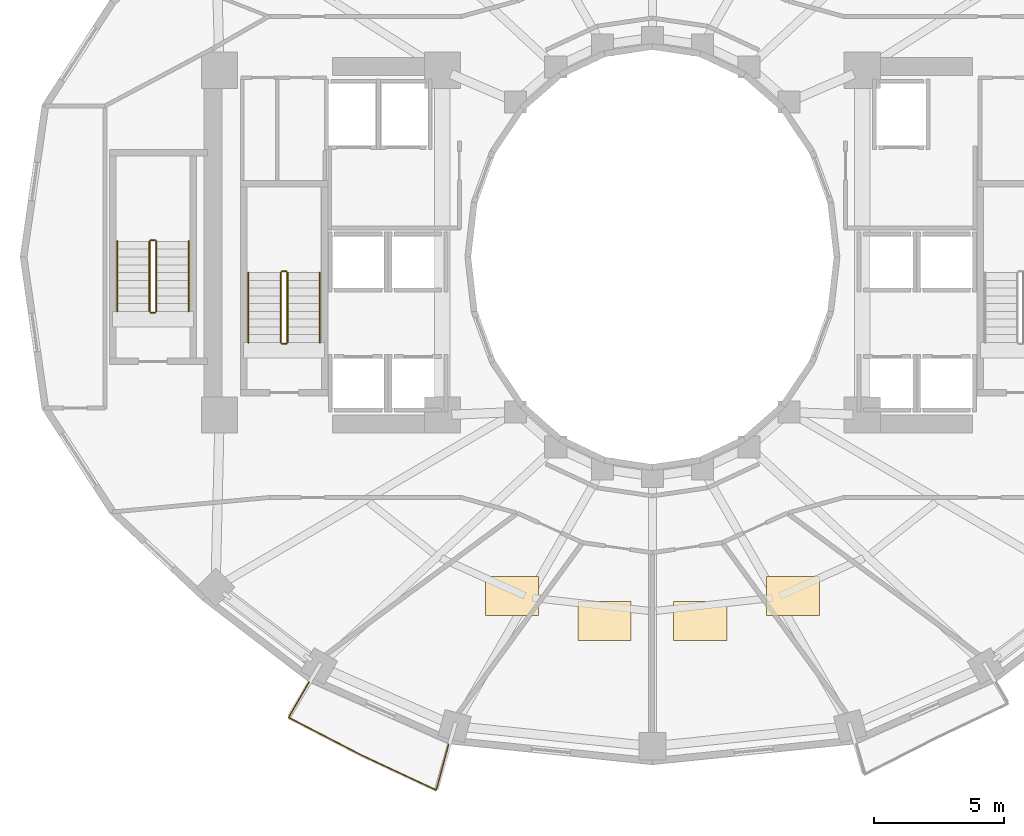
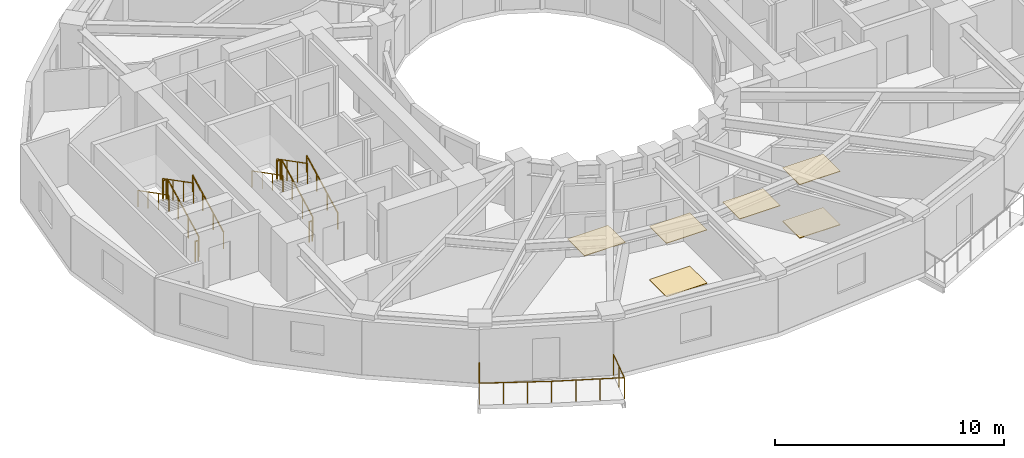
# One storey, part 8 of 10: 13 railings, 6 coverings.
"""IFC4 building model written with IfcOpenShell, lengths in metres."""

from ifc_helpers import new_model, si_unit, direction, frame, origin, origin_2d, place, context, subcontext, project, spatial, polyline, circle, outline, extrude, material, layer, layer_set, type_object, element, save


model = new_model("IFC4")

# Units and contexts
model_context = context("Model", 3, precision=1e-05, world=origin(), true_north=direction((0.0, 1.0)))
body_context = subcontext(model_context, "Body", "Model", "MODEL_VIEW")
ifc_project = project(units=[si_unit("LENGTHUNIT", "METRE"), si_unit("AREAUNIT", "SQUARE_METRE"), si_unit("VOLUMEUNIT", "CUBIC_METRE"), si_unit("PLANEANGLEUNIT", "RADIAN"), si_unit("MASSUNIT", "GRAM", prefix="KILO")], contexts=[model_context])

# Site, building, storey
site_placement = place(None, origin())
site = spatial("IfcSite", under=ifc_project, at=site_placement, CompositionType="ELEMENT")
building_placement = place(site_placement, origin())
building = spatial("IfcBuilding", under=site, at=building_placement, Name="Solvane Sanctuary Tower", CompositionType="ELEMENT")
storey_placement = place(building_placement, frame((0.0, 0.0, 107.300048828125)))
storey = spatial("IfcBuildingStorey", under=building, at=storey_placement, Name="L32", CompositionType="ELEMENT", Elevation=107.300048828125)

# Coverings
ifc_material_1 = material(Name="Acoustic Gypsum Partition Board")
ifc_layer_1 = layer(ifc_material_1, 0.02490234375, Name="Acoustic Gypsum Partition Board")
ifc_layer_set_1 = layer_set([ifc_layer_1], Name="Acoustic Gypsum Partition Board")
covering_type_1 = type_object("IfcCoveringType", Name="Covering CLG-ACOUST", PredefinedType="CEILING", material=ifc_layer_set_1)
covering_1_placement = place(storey_placement, frame((0.0, 0.0, 2.849853515625)))
element("IfcCovering", 1, at=covering_1_placement, inside=storey, type_object=covering_type_1, Name="L32 Unit Acoustic Ceiling Panel 5", PredefinedType="CEILING", context=body_context, shape_type="SweptSolid", body=[
    extrude(outline(polyline([(25.555908203125, 9.16796875), (27.60595703125, 9.16796875), (27.60595703125, 10.66796875), (25.555908203125, 10.66796875), (25.555908203125, 9.16796875)])), origin(), (0.0, 0.0, 1.0), 0.030029296875),
])
covering_2_placement = place(storey_placement, frame((0.0, 0.0, 2.849853515625)))
element("IfcCovering", 2, at=covering_2_placement, inside=storey, type_object=covering_type_1, Name="L32 Unit Acoustic Ceiling Panel 6", PredefinedType="CEILING", context=body_context, shape_type="SweptSolid", body=[
    extrude(outline(polyline([(29.126953125, 8.2109375), (31.177001953125, 8.2109375), (31.177001953125, 9.7109375), (29.126953125, 9.7109375), (29.126953125, 8.2109375)])), origin(), (0.0, 0.0, 1.0), 0.030029296875),
])
covering_3_placement = place(storey_placement, frame((0.0, 0.0, 2.849853515625)))
element("IfcCovering", 3, at=covering_3_placement, inside=storey, type_object=covering_type_1, Name="L32 Unit Acoustic Ceiling Panel 7", PredefinedType="CEILING", context=body_context, shape_type="SweptSolid", body=[
    extrude(outline(polyline([(32.822998046875, 8.2109375), (34.873046875, 8.2109375), (34.873046875, 9.7109375), (32.822998046875, 9.7109375), (32.822998046875, 8.2109375)])), origin(), (0.0, 0.0, 1.0), 0.030029296875),
])
covering_4_placement = place(storey_placement, frame((0.0, 0.0, 2.849853515625)))
element("IfcCovering", 4, at=covering_4_placement, inside=storey, type_object=covering_type_1, Name="L32 Unit Acoustic Ceiling Panel 8", PredefinedType="CEILING", context=body_context, shape_type="SweptSolid", body=[
    extrude(outline(polyline([(36.39404296875, 9.16796875), (38.444091796875, 9.16796875), (38.444091796875, 10.66796875), (36.39404296875, 10.66796875), (36.39404296875, 9.16796875)])), origin(), (0.0, 0.0, 1.0), 0.030029296875),
])
ifc_material_2 = material(Name="Ceramic Tile Finish")
ifc_layer_2 = layer(ifc_material_2, 0.030029296875, Name="Ceramic Tile Finish")
ifc_layer_set_2 = layer_set([ifc_layer_2], Name="Ceramic Tile Finish")
covering_type_2 = type_object("IfcCoveringType", Name="Covering FLR-TERRAZZO", PredefinedType="FLOORING", material=ifc_layer_set_2)
covering_5_placement = place(storey_placement, origin())
element("IfcCovering", 5, at=covering_5_placement, inside=storey, type_object=covering_type_2, Name="L32 Unit Terrazzo Inlay 6", PredefinedType="FLOORING", context=body_context, shape_type="SweptSolid", body=[
    extrude(outline(polyline([(29.126953125, 8.2109375), (31.177001953125, 8.2109375), (31.177001953125, 9.7109375), (29.126953125, 9.7109375), (29.126953125, 8.2109375)])), origin(), (0.0, 0.0, 1.0), 0.034912109375),
])
covering_6_placement = place(storey_placement, origin())
element("IfcCovering", 6, at=covering_6_placement, inside=storey, type_object=covering_type_2, Name="L32 Unit Terrazzo Inlay 8", PredefinedType="FLOORING", context=body_context, shape_type="SweptSolid", body=[
    extrude(outline(polyline([(36.39404296875, 9.16796875), (38.444091796875, 9.16796875), (38.444091796875, 10.66796875), (36.39404296875, 10.66796875), (36.39404296875, 9.16796875)])), origin(), (0.0, 0.0, 1.0), 0.034912109375),
])

# Railings
ifc_material_3 = material(Name="Architectural Stainless Steel 316", Category="steel")
railing_type_1 = type_object("IfcRailingType", Name="Railing GR-BALC-1150", PredefinedType="BALUSTRADE", material=ifc_material_3)
railing_1_placement = place(storey_placement, frame((18.750732421875, 6.595703125, 0.0)))
element("IfcRailing", 7, at=railing_1_placement, inside=storey, type_object=railing_type_1, Name="L32 Wave Balcony Balustrade S1", PredefinedType="BALUSTRADE", context=body_context, shape_type="SweptSolid", body=[
    extrude(circle(Radius=0.02392578125, at=origin_2d()), frame((0.0, 0.0, 1.1259765625), z_axis=(-0.50011208427, -0.865960682229, 0.0), x_axis=(0.865960682229, -0.50011208427, 0.0)), (0.0, 0.0, 1.0), 1.572998046875),
    extrude(circle(Radius=0.02392578125, at=origin_2d()), frame((-0.78662109375, -1.362060546875, 1.1259765625), z_axis=(0.888119879969, -0.459611878441, 0.0), x_axis=(0.459611878441, 0.888119879969, 0.0)), (0.0, 0.0, 1.0), 3.163330078125),
    extrude(circle(Radius=0.02392578125, at=origin_2d()), frame((2.022705078125, -2.81591796875, 1.1259765625), z_axis=(0.906020758205, -0.423233252122, 0.0), x_axis=(0.423233252122, 0.906020758205, 0.0)), (0.0, 0.0, 1.0), 3.189453125),
    extrude(circle(Radius=0.02392578125, at=origin_2d()), frame((4.912353515625, -4.165771484375, 1.1259765625), z_axis=(0.258820206775, 0.965925515019, 0.0), x_axis=(-0.965925515019, 0.258820206775, 0.0)), (0.0, 0.0, 1.0), 1.83740234375),
    extrude(circle(Radius=0.02099609375, at=origin_2d()), origin(), (0.0, 0.0, 1.0), 1.101806640625),
    extrude(circle(Radius=0.02099609375, at=origin_2d()), frame((-0.393310546875, -0.68115234375, 0.0)), (0.0, 0.0, 1.0), 1.101806640625),
    extrude(circle(Radius=0.02099609375, at=origin_2d()), frame((-0.78662109375, -1.362060546875, 0.0)), (0.0, 0.0, 1.0), 1.101806640625),
    extrude(circle(Radius=0.02099609375, at=origin_2d()), frame((0.14990234375, -1.8466796875, 0.0)), (0.0, 0.0, 1.0), 1.101806640625),
    extrude(circle(Radius=0.02099609375, at=origin_2d()), frame((1.086181640625, -2.331298828125, 0.0)), (0.0, 0.0, 1.0), 1.101806640625),
    extrude(circle(Radius=0.02099609375, at=origin_2d()), frame((2.022705078125, -2.81591796875, 0.0)), (0.0, 0.0, 1.0), 1.101806640625),
    extrude(circle(Radius=0.02099609375, at=origin_2d()), frame((2.98583984375, -3.265869140625, 0.0)), (0.0, 0.0, 1.0), 1.101806640625),
    extrude(circle(Radius=0.02099609375, at=origin_2d()), frame((3.94921875, -3.7158203125, 0.0)), (0.0, 0.0, 1.0), 1.101806640625),
    extrude(circle(Radius=0.02099609375, at=origin_2d()), frame((4.912353515625, -4.165771484375, 0.0)), (0.0, 0.0, 1.0), 1.101806640625),
    extrude(circle(Radius=0.02099609375, at=origin_2d()), frame((5.150146484375, -3.2783203125, 0.0)), (0.0, 0.0, 1.0), 1.101806640625),
    extrude(circle(Radius=0.02099609375, at=origin_2d()), frame((5.387939453125, -2.390869140625, 0.0)), (0.0, 0.0, 1.0), 1.101806640625),
])
railing_2_placement = place(storey_placement, frame((17.919921875, 19.699951171875, 0.155029296875)))
element("IfcRailing", 8, at=railing_2_placement, inside=storey, type_object=railing_type_1, Name="L32 ST-1 stair guard 1", PredefinedType="BALUSTRADE", context=body_context, shape_type="SweptSolid", body=[
    extrude(circle(Radius=0.02392578125, at=origin_2d()), frame((0.0, 0.0, 1.076171875), z_axis=(0.0, 0.888419900624, 0.459031676658), x_axis=(-1.0, 0.0, 0.0)), (0.0, 0.0, 1.0), 3.0390625),
    extrude(circle(Radius=0.02099609375, at=origin_2d()), origin(), (0.0, 0.0, 1.0), 1.052001953125),
    extrude(circle(Radius=0.02099609375, at=origin_2d()), frame((0.0, 0.89990234375, 0.465087890625)), (0.0, 0.0, 1.0), 1.052001953125),
    extrude(circle(Radius=0.02099609375, at=origin_2d()), frame((0.0, 1.800048828125, 0.929931640625)), (0.0, 0.0, 1.0), 1.052001953125),
    extrude(circle(Radius=0.02099609375, at=origin_2d()), frame((0.0, 2.699951171875, 1.39501953125)), (0.0, 0.0, 1.0), 1.052001953125),
])
railing_3_placement = place(storey_placement, frame((17.8701171875, 22.449951171875, 1.550048828125)))
element("IfcRailing", 9, at=railing_3_placement, inside=storey, type_object=railing_type_1, Name="L32 ST-1 stair guard 2", PredefinedType="BALUSTRADE", context=body_context, shape_type="SweptSolid", body=[
    extrude(circle(Radius=0.02392578125, at=origin_2d()), frame((0.0, 0.0, 1.076171875), z_axis=(-1.0, 0.0, 0.0), x_axis=(0.0, -1.0, 0.0)), (0.0, 0.0, 1.0), 0.16015625),
    extrude(circle(Radius=0.02099609375, at=origin_2d()), origin(), (0.0, 0.0, 1.0), 1.052001953125),
    extrude(circle(Radius=0.02099609375, at=origin_2d()), frame((-0.16015625, 0.0, 0.0)), (0.0, 0.0, 1.0), 1.052001953125),
])
railing_4_placement = place(storey_placement, frame((17.659912109375, 22.39990234375, 1.704833984375)))
element("IfcRailing", 10, at=railing_4_placement, inside=storey, type_object=railing_type_1, Name="L32 ST-1 stair guard 3", PredefinedType="BALUSTRADE", context=body_context, shape_type="SweptSolid", body=[
    extrude(circle(Radius=0.02392578125, at=origin_2d()), frame((0.0, 0.0, 1.076171875), z_axis=(0.0, -0.888419900624, 0.459031676658), x_axis=(1.0, 0.0, 0.0)), (0.0, 0.0, 1.0), 3.0390625),
    extrude(circle(Radius=0.02099609375, at=origin_2d()), origin(), (0.0, 0.0, 1.0), 1.052001953125),
    extrude(circle(Radius=0.02099609375, at=origin_2d()), frame((0.0, -0.89990234375, 0.465087890625)), (0.0, 0.0, 1.0), 1.052001953125),
    extrude(circle(Radius=0.02099609375, at=origin_2d()), frame((0.0, -1.800048828125, 0.929931640625)), (0.0, 0.0, 1.0), 1.052001953125),
    extrude(circle(Radius=0.02099609375, at=origin_2d()), frame((0.0, -2.699951171875, 1.39501953125)), (0.0, 0.0, 1.0), 1.052001953125),
])
railing_5_placement = place(storey_placement, frame((17.8701171875, 19.64990234375, 0.0)))
element("IfcRailing", 11, at=railing_5_placement, inside=storey, type_object=railing_type_1, Name="L32 ST-1 stair guard 4", PredefinedType="BALUSTRADE", context=body_context, shape_type="SweptSolid", body=[
    extrude(circle(Radius=0.02392578125, at=origin_2d()), frame((0.0, 0.0, 1.076171875), z_axis=(-1.0, 0.0, 0.0), x_axis=(0.0, -1.0, 0.0)), (0.0, 0.0, 1.0), 0.16015625),
    extrude(circle(Radius=0.02099609375, at=origin_2d()), origin(), (0.0, 0.0, 1.0), 1.052001953125),
    extrude(circle(Radius=0.02099609375, at=origin_2d()), frame((-0.16015625, 0.0, 0.0)), (0.0, 0.0, 1.0), 1.052001953125),
])
railing_6_placement = place(storey_placement, frame((12.860107421875, 20.89990234375, 0.155029296875)))
element("IfcRailing", 12, at=railing_6_placement, inside=storey, type_object=railing_type_1, Name="L32 ST-3 stair guard 1", PredefinedType="BALUSTRADE", context=body_context, shape_type="SweptSolid", body=[
    extrude(circle(Radius=0.02392578125, at=origin_2d()), frame((0.0, 0.0, 1.076171875), z_axis=(0.0, 0.888436826113, 0.458998917216), x_axis=(-1.0, 0.0, 0.0)), (0.0, 0.0, 1.0), 3.039306640625),
    extrude(circle(Radius=0.02099609375, at=origin_2d()), origin(), (0.0, 0.0, 1.0), 1.052001953125),
    extrude(circle(Radius=0.02099609375, at=origin_2d()), frame((0.0, 0.900146484375, 0.465087890625)), (0.0, 0.0, 1.0), 1.052001953125),
    extrude(circle(Radius=0.02099609375, at=origin_2d()), frame((0.0, 1.800048828125, 0.929931640625)), (0.0, 0.0, 1.0), 1.052001953125),
    extrude(circle(Radius=0.02099609375, at=origin_2d()), frame((0.0, 2.7001953125, 1.39501953125)), (0.0, 0.0, 1.0), 1.052001953125),
])
railing_7_placement = place(storey_placement, frame((12.81005859375, 23.64990234375, 1.550048828125)))
element("IfcRailing", 13, at=railing_7_placement, inside=storey, type_object=railing_type_1, Name="L32 ST-3 stair guard 2", PredefinedType="BALUSTRADE", context=body_context, shape_type="SweptSolid", body=[
    extrude(circle(Radius=0.02392578125, at=origin_2d()), frame((0.0, 0.0, 1.076171875), z_axis=(-1.0, 0.0, 0.0), x_axis=(0.0, -1.0, 0.0)), (0.0, 0.0, 1.0), 0.16015625),
    extrude(circle(Radius=0.02099609375, at=origin_2d()), origin(), (0.0, 0.0, 1.0), 1.052001953125),
    extrude(circle(Radius=0.02099609375, at=origin_2d()), frame((-0.16015625, 0.0, 0.0)), (0.0, 0.0, 1.0), 1.052001953125),
])
railing_8_placement = place(storey_placement, frame((12.60009765625, 23.60009765625, 1.704833984375)))
element("IfcRailing", 14, at=railing_8_placement, inside=storey, type_object=railing_type_1, Name="L32 ST-3 stair guard 3", PredefinedType="BALUSTRADE", context=body_context, shape_type="SweptSolid", body=[
    extrude(circle(Radius=0.02392578125, at=origin_2d()), frame((0.0, 0.0, 1.076171875), z_axis=(0.0, -0.888436826113, 0.458998917216), x_axis=(1.0, 0.0, 0.0)), (0.0, 0.0, 1.0), 3.039306640625),
    extrude(circle(Radius=0.02099609375, at=origin_2d()), origin(), (0.0, 0.0, 1.0), 1.052001953125),
    extrude(circle(Radius=0.02099609375, at=origin_2d()), frame((0.0, -0.900146484375, 0.465087890625)), (0.0, 0.0, 1.0), 1.052001953125),
    extrude(circle(Radius=0.02099609375, at=origin_2d()), frame((0.0, -1.800048828125, 0.929931640625)), (0.0, 0.0, 1.0), 1.052001953125),
    extrude(circle(Radius=0.02099609375, at=origin_2d()), frame((0.0, -2.7001953125, 1.39501953125)), (0.0, 0.0, 1.0), 1.052001953125),
])
railing_9_placement = place(storey_placement, frame((12.81005859375, 20.85009765625, 0.0)))
element("IfcRailing", 15, at=railing_9_placement, inside=storey, type_object=railing_type_1, Name="L32 ST-3 stair guard 4", PredefinedType="BALUSTRADE", context=body_context, shape_type="SweptSolid", body=[
    extrude(circle(Radius=0.02392578125, at=origin_2d()), frame((0.0, 0.0, 1.076171875), z_axis=(-1.0, 0.0, 0.0), x_axis=(0.0, -1.0, 0.0)), (0.0, 0.0, 1.0), 0.16015625),
    extrude(circle(Radius=0.02099609375, at=origin_2d()), origin(), (0.0, 0.0, 1.0), 1.052001953125),
    extrude(circle(Radius=0.02099609375, at=origin_2d()), frame((-0.16015625, 0.0, 0.0)), (0.0, 0.0, 1.0), 1.052001953125),
])
railing_type_2 = type_object("IfcRailingType", Name="Railing HR-STAIR-920", PredefinedType="HANDRAIL", material=ifc_material_3)
railing_10_placement = place(storey_placement, frame((19.169921875, 19.699951171875, 0.155029296875)))
element("IfcRailing", 16, at=railing_10_placement, inside=storey, type_object=railing_type_2, Name="L32 ST-1 stair handrail 1", PredefinedType="HANDRAIL", context=body_context, shape_type="SweptSolid", body=[
    extrude(circle(Radius=0.02392578125, at=origin_2d()), frame((0.0, 0.0, 0.8759765625), z_axis=(0.0, 0.888419900624, 0.459031676658), x_axis=(-1.0, 0.0, 0.0)), (0.0, 0.0, 1.0), 3.0390625),
    extrude(circle(Radius=0.02099609375, at=origin_2d()), origin(), (0.0, 0.0, 1.0), 0.851806640625),
    extrude(circle(Radius=0.02099609375, at=origin_2d()), frame((0.0, 0.89990234375, 0.465087890625)), (0.0, 0.0, 1.0), 0.851806640625),
    extrude(circle(Radius=0.02099609375, at=origin_2d()), frame((0.0, 1.800048828125, 0.929931640625)), (0.0, 0.0, 1.0), 0.851806640625),
    extrude(circle(Radius=0.02099609375, at=origin_2d()), frame((0.0, 2.699951171875, 1.39501953125)), (0.0, 0.0, 1.0), 0.851806640625),
])
railing_11_placement = place(storey_placement, frame((16.409912109375, 22.39990234375, 1.704833984375)))
element("IfcRailing", 17, at=railing_11_placement, inside=storey, type_object=railing_type_2, Name="L32 ST-1 stair handrail 2", PredefinedType="HANDRAIL", context=body_context, shape_type="SweptSolid", body=[
    extrude(circle(Radius=0.02392578125, at=origin_2d()), frame((0.0, 0.0, 0.8759765625), z_axis=(0.0, -0.888419900624, 0.459031676658), x_axis=(1.0, 0.0, 0.0)), (0.0, 0.0, 1.0), 3.0390625),
    extrude(circle(Radius=0.02099609375, at=origin_2d()), origin(), (0.0, 0.0, 1.0), 0.851806640625),
    extrude(circle(Radius=0.02099609375, at=origin_2d()), frame((0.0, -0.89990234375, 0.465087890625)), (0.0, 0.0, 1.0), 0.851806640625),
    extrude(circle(Radius=0.02099609375, at=origin_2d()), frame((0.0, -1.800048828125, 0.929931640625)), (0.0, 0.0, 1.0), 0.851806640625),
    extrude(circle(Radius=0.02099609375, at=origin_2d()), frame((0.0, -2.699951171875, 1.39501953125)), (0.0, 0.0, 1.0), 0.851806640625),
])
railing_12_placement = place(storey_placement, frame((14.110107421875, 20.89990234375, 0.155029296875)))
element("IfcRailing", 18, at=railing_12_placement, inside=storey, type_object=railing_type_2, Name="L32 ST-3 stair handrail 1", PredefinedType="HANDRAIL", context=body_context, shape_type="SweptSolid", body=[
    extrude(circle(Radius=0.02392578125, at=origin_2d()), frame((0.0, 0.0, 0.8759765625), z_axis=(0.0, 0.888436826113, 0.458998917216), x_axis=(-1.0, 0.0, 0.0)), (0.0, 0.0, 1.0), 3.039306640625),
    extrude(circle(Radius=0.02099609375, at=origin_2d()), origin(), (0.0, 0.0, 1.0), 0.851806640625),
    extrude(circle(Radius=0.02099609375, at=origin_2d()), frame((0.0, 0.900146484375, 0.465087890625)), (0.0, 0.0, 1.0), 0.851806640625),
    extrude(circle(Radius=0.02099609375, at=origin_2d()), frame((0.0, 1.800048828125, 0.929931640625)), (0.0, 0.0, 1.0), 0.851806640625),
    extrude(circle(Radius=0.02099609375, at=origin_2d()), frame((0.0, 2.7001953125, 1.39501953125)), (0.0, 0.0, 1.0), 0.851806640625),
])
railing_13_placement = place(storey_placement, frame((11.35009765625, 23.60009765625, 1.704833984375)))
element("IfcRailing", 19, at=railing_13_placement, inside=storey, type_object=railing_type_2, Name="L32 ST-3 stair handrail 2", PredefinedType="HANDRAIL", context=body_context, shape_type="SweptSolid", body=[
    extrude(circle(Radius=0.02392578125, at=origin_2d()), frame((0.0, 0.0, 0.8759765625), z_axis=(0.0, -0.888436826113, 0.458998917216), x_axis=(1.0, 0.0, 0.0)), (0.0, 0.0, 1.0), 3.039306640625),
    extrude(circle(Radius=0.02099609375, at=origin_2d()), origin(), (0.0, 0.0, 1.0), 0.851806640625),
    extrude(circle(Radius=0.02099609375, at=origin_2d()), frame((0.0, -0.900146484375, 0.465087890625)), (0.0, 0.0, 1.0), 0.851806640625),
    extrude(circle(Radius=0.02099609375, at=origin_2d()), frame((0.0, -1.800048828125, 0.929931640625)), (0.0, 0.0, 1.0), 0.851806640625),
    extrude(circle(Radius=0.02099609375, at=origin_2d()), frame((0.0, -2.7001953125, 1.39501953125)), (0.0, 0.0, 1.0), 0.851806640625),
])

save(model, "model.ifc")
